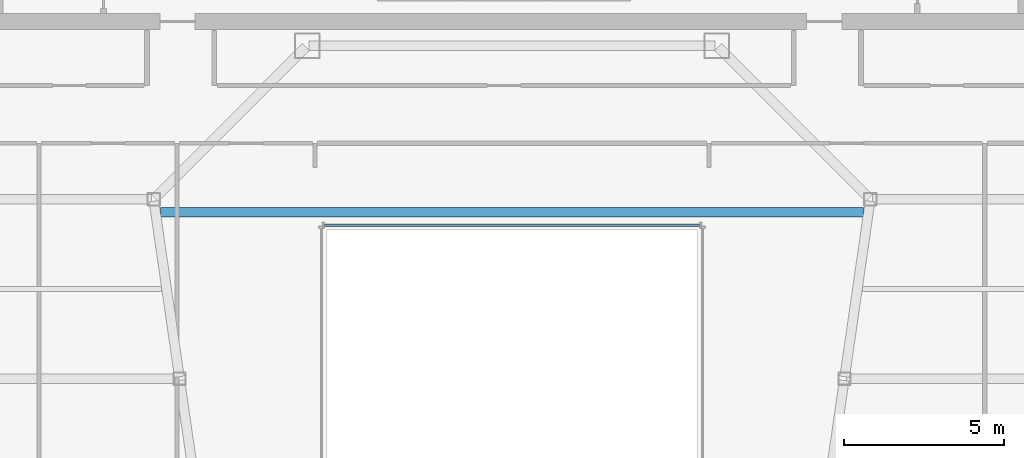
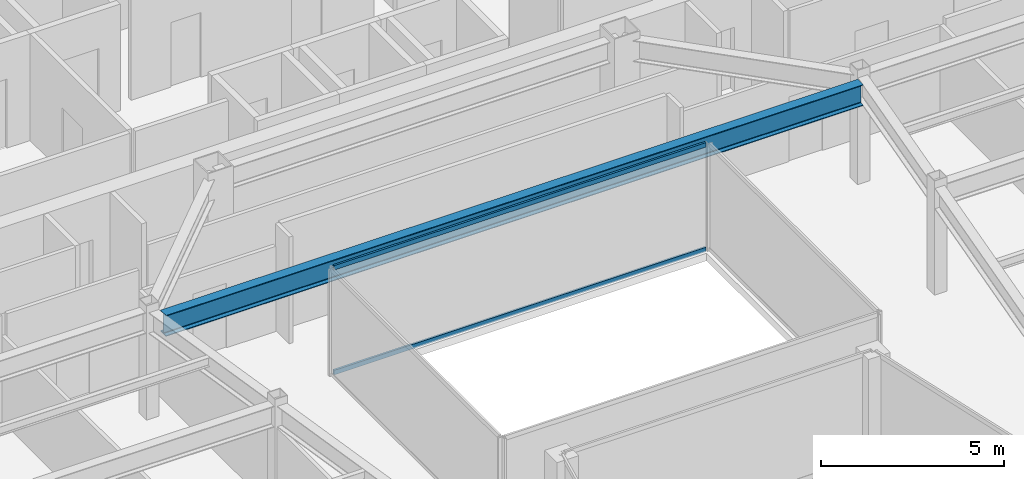
# One storey, part 14 of 35: 2 members, 1 beam, 1 element without a shape of its own.
"""IFC4 building model written with IfcOpenShell, lengths in metres."""

from ifc_helpers import new_model, si_unit, direction, frame, origin, origin_2d, place, context, subcontext, project, spatial, hollow_rectangle, i_section, extrude, material, material_profile, profile_set, type_object, element, aggregate, save


model = new_model("IFC4")

# Units and contexts
model_context = context("Model", 3, precision=1e-05, world=origin(), true_north=direction((0.0, 1.0)))
body_context = subcontext(model_context, "Body", "Model", "MODEL_VIEW")
ifc_project = project(units=[si_unit("LENGTHUNIT", "METRE"), si_unit("AREAUNIT", "SQUARE_METRE"), si_unit("VOLUMEUNIT", "CUBIC_METRE"), si_unit("PLANEANGLEUNIT", "RADIAN"), si_unit("MASSUNIT", "GRAM", prefix="KILO")], contexts=[model_context])

# Site, building, storey
site_placement = place(None, origin())
site = spatial("IfcSite", under=ifc_project, at=site_placement, CompositionType="ELEMENT")
building_placement = place(site_placement, origin())
building = spatial("IfcBuilding", under=site, at=building_placement, Name="Saevonmaru Cultural Tower", CompositionType="ELEMENT")
storey_placement = place(building_placement, frame((0.0, 0.0, 194.199951171875)))
storey = spatial("IfcBuildingStorey", under=building, at=storey_placement, Name="L44", CompositionType="ELEMENT", Elevation=194.199951171875)

# Beam
ifc_material_1 = material(Name="Steel SM355", Category="steel")
ifc_material_profile_1 = material_profile(ifc_material_1, i_section(OverallWidth=0.300048828125, OverallDepth=0.699951171875, WebThickness=0.012939453125, FlangeThickness=0.02392578125, FilletRadius=0.02587890625, at=origin_2d()), Name="H-700x300x13x24")
ifc_profile_set_1 = profile_set([ifc_material_profile_1], Name="Steel SM355")
beam_type = type_object("IfcBeamType", Name="BM-G-H700", PredefinedType="BEAM", material=ifc_profile_set_1)
beam_placement = place(storey_placement, frame((19.023681640625, 37.199951171875, 3.199951171875), z_axis=(1.0, 0.0, 0.0), x_axis=(0.0, 1.0, 0.0)))
element("IfcBeam", 1, at=beam_placement, inside=storey, type_object=beam_type, Name="L44 Central Link Girder", PredefinedType="BEAM", context=body_context, shape_type="SweptSolid", body=[
    extrude(i_section(OverallWidth=0.300048828125, OverallDepth=0.699951171875, WebThickness=0.012939453125, FlangeThickness=0.02392578125, FilletRadius=0.02587890625, at=origin_2d()), origin(), (0.0, 0.0, 1.0), 21.95263671875),
])

# Curtain wall, members
ifc_material_2 = material(Name="Satin Bronze Anodised Aluminium", Category="aluminium")
curtain_wall_type = type_object("IfcCurtainWallType", Name="CW-ATR-GLZ", PredefinedType="NOTDEFINED", material=ifc_material_2)
curtain_wall_placement = place(storey_placement, origin())
curtain_wall = element("IfcCurtainWall", 2, at=curtain_wall_placement, inside=storey, type_object=curtain_wall_type, Name="L44 Vertical Atrium Glazed Smoke Screen 3", PredefinedType="NOTDEFINED")
ifc_material_profile_2 = material_profile(ifc_material_2, hollow_rectangle(XDim=0.06494140625, YDim=0.14990234375, WallThickness=0.00390625, at=origin_2d()), Name="ALU-TRAN-150x65x4")
ifc_profile_set_2 = profile_set([ifc_material_profile_2], Name="Satin Bronze Anodised Aluminium")
member_type = type_object("IfcMemberType", Name="TR-CW-INT-150x65", PredefinedType="USERDEFINED", material=ifc_profile_set_2)
member_1_placement = place(storey_placement, frame((35.857421875, 36.7900390625, 0.032470703125), z_axis=(-1.0, 0.0, 0.0), x_axis=(0.0, -1.0, 0.0)))
member_1 = element("IfcMember", 3, at=member_1_placement, type_object=member_type, Name="CW-ATR-L44-3 transom 1.1", ObjectType="TRANSOM", PredefinedType="USERDEFINED", context=body_context, shape_type="SweptSolid", body=[
    extrude(hollow_rectangle(XDim=0.06494140625, YDim=0.14990234375, WallThickness=0.00390625, at=origin_2d()), origin(), (0.0, 0.0, 1.0), 11.71484375),
])
member_2_placement = place(storey_placement, frame((35.857421875, 36.7900390625, 3.517578125), z_axis=(-1.0, 0.0, 0.0), x_axis=(0.0, -1.0, 0.0)))
member_2 = element("IfcMember", 4, at=member_2_placement, type_object=member_type, Name="CW-ATR-L44-3 transom 1.2", ObjectType="TRANSOM", PredefinedType="USERDEFINED", context=body_context, shape_type="SweptSolid", body=[
    extrude(hollow_rectangle(XDim=0.06494140625, YDim=0.14990234375, WallThickness=0.00390625, at=origin_2d()), origin(), (0.0, 0.0, 1.0), 11.71484375),
])
aggregate(curtain_wall, [member_1, member_2])

save(model, "model.ifc")
